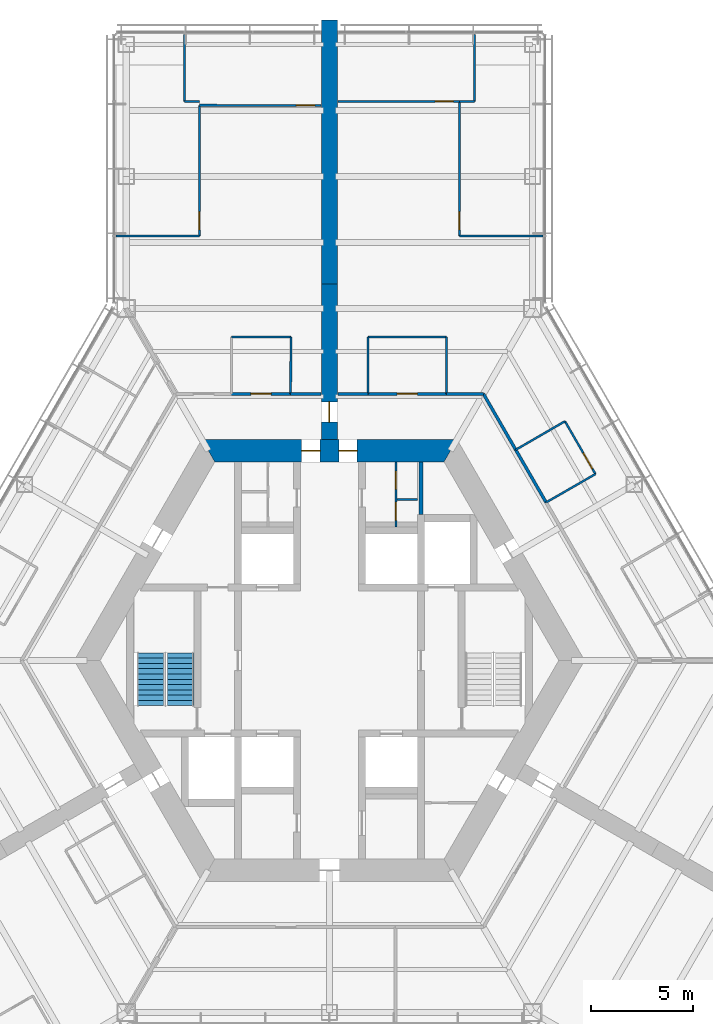
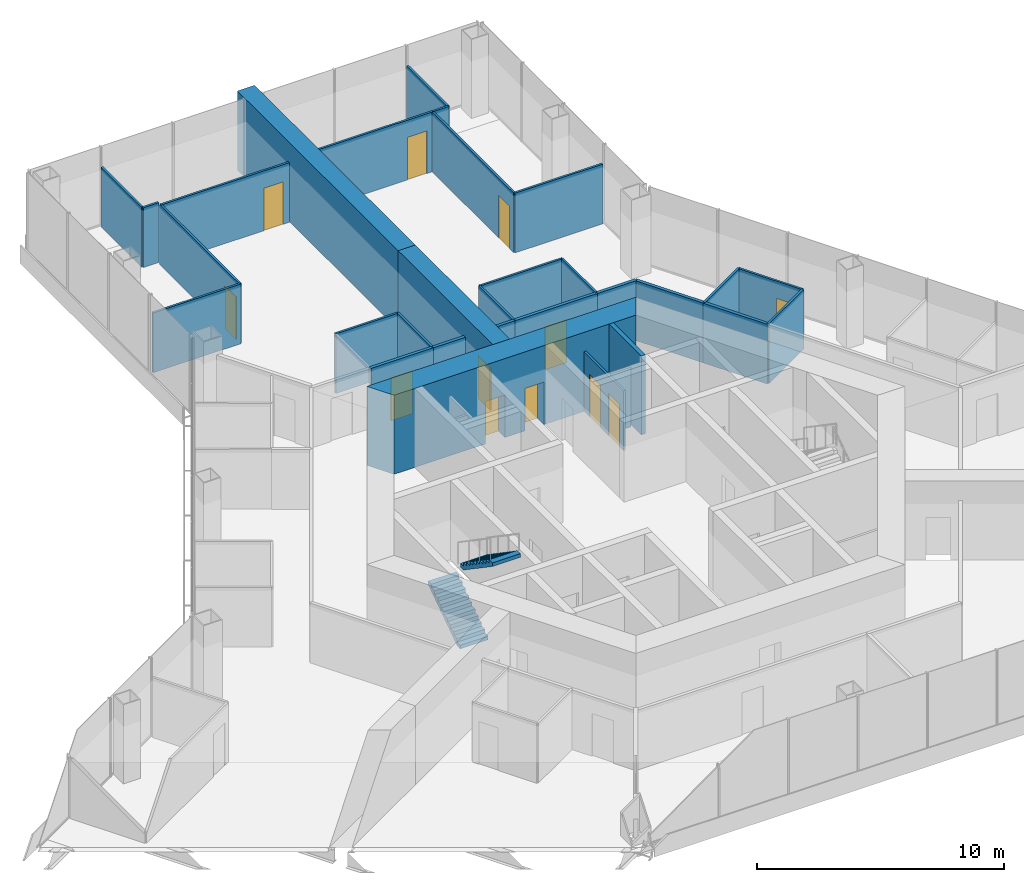
# One storey, part 15 of 18: 31 walls, 12 doors, 2 stair flights, 12 openings, 1 element without a shape of its own.
"""IFC4 building model written with IfcOpenShell, lengths in metres."""

from ifc_helpers import new_model, si_unit, direction, frame, frame_2d, origin, place, context, subcontext, project, spatial, polyline, rectangle, outline, extrude, material, layer, layer_set, type_object, element, fill, aggregate, save


model = new_model("IFC4")

# Units and contexts
model_context = context("Model", 3, precision=1e-05, world=origin(), true_north=direction((0.0, 1.0)))
body_context = subcontext(model_context, "Body", "Model", "MODEL_VIEW")
ifc_project = project(units=[si_unit("LENGTHUNIT", "METRE"), si_unit("AREAUNIT", "SQUARE_METRE"), si_unit("VOLUMEUNIT", "CUBIC_METRE"), si_unit("PLANEANGLEUNIT", "RADIAN"), si_unit("MASSUNIT", "GRAM", prefix="KILO")], contexts=[model_context])

# Site, building, storey
site_placement = place(None, origin())
site = spatial("IfcSite", under=ifc_project, at=site_placement, CompositionType="ELEMENT")
building_placement = place(site_placement, origin())
building = spatial("IfcBuilding", under=site, at=building_placement, Name="Kasaneha Research Tower", CompositionType="ELEMENT")
storey_placement = place(building_placement, frame((0.0, 0.0, 65.10009765625)))
storey = spatial("IfcBuildingStorey", under=building, at=storey_placement, Name="L16", CompositionType="ELEMENT", Elevation=65.10009765625)

# Wall, openings, doors
ifc_material_1 = material(Name="Concrete Fc80", Category="concrete")
ifc_layer_1 = layer(ifc_material_1, 1.10009765625)
ifc_layer_set_1 = layer_set([ifc_layer_1], Name="Core wall 1100 Fc80")
wall_type_1 = type_object("IfcWallType", Name="Core wall 1100 Fc80", PredefinedType="SHEAR", material=ifc_layer_set_1)
wall_1_placement = place(storey_placement, frame((5.961181640625, 10.324951171875, 0.0), z_axis=(0.0, 0.0, 1.0), x_axis=(-1.0, 0.0, 0.0)))
wall_1 = element("IfcWall", 1, at=wall_1_placement, inside=storey, type_object=wall_type_1, Name="Core wall 090 L16", PredefinedType="SHEAR", context=body_context, shape_type="SweptSolid", body=[
    extrude(outline(polyline([(-0.317626953125, -0.550048828125), (4.5986328125, -0.550048828125), (5.49853515625, -0.550048828125), (6.423583984375, -0.550048828125), (7.323486328125, -0.550048828125), (12.239990234375, -0.550048828125), (11.604736328125, 0.550048828125), (7.323486328125, 0.550048828125), (6.423583984375, 0.550048828125), (5.49853515625, 0.550048828125), (4.5986328125, 0.550048828125), (0.317626953125, 0.550048828125), (-0.317626953125, -0.550048828125)])), origin(), (0.0, 0.0, 1.0), 3.89990234375),
])
opening_1_placement = place(wall_1_placement, frame((6.423583984375, 0.0, 0.0)))
opening_1 = element("IfcOpeningElement", 2, at=opening_1_placement, cuts=wall_1, Name="Opening L16-D01", PredefinedType="OPENING", context=body_context, shape_type="SweptSolid", body=[
    extrude(rectangle(XDim=0.89990234375, YDim=2.10009765625, at=frame_2d((0.449951171875, 1.050048828125))), frame((0.0, 0.56005859375, 0.0), z_axis=(0.0, -1.0, 0.0), x_axis=(1.0, 0.0, 0.0)), (0.0, 0.0, 1.0), 1.1201171875),
])
opening_2_placement = place(wall_1_placement, frame((4.5986328125, 0.0, 0.0)))
opening_2 = element("IfcOpeningElement", 3, at=opening_2_placement, cuts=wall_1, Name="Opening L16-D02", PredefinedType="OPENING", context=body_context, shape_type="SweptSolid", body=[
    extrude(rectangle(XDim=0.89990234375, YDim=2.10009765625, at=frame_2d((0.449951171875, 1.050048828125))), frame((0.0, 0.56005859375, 0.0), z_axis=(0.0, -1.0, 0.0), x_axis=(1.0, 0.0, 0.0)), (0.0, 0.0, 1.0), 1.1201171875),
])
ifc_material_2 = material(Name="Steel", Category="steel")
door_type_1 = type_object("IfcDoorType", Name="Toilet door FD20 900x2100", OperationType="NOTDEFINED", PredefinedType="DOOR", material=ifc_material_2)
door_1_placement = place(opening_1_placement, origin())
door_1 = element("IfcDoor", 4, at=door_1_placement, inside=storey, type_object=door_type_1, Name="Core door north 1 L16-D01", OperationType="SINGLE_SWING_RIGHT", OverallHeight=2.10009765625, OverallWidth=0.89990234375, PredefinedType="DOOR", context=body_context, shape_type="SweptSolid", body=[
    extrude(rectangle(XDim=0.89990234375, YDim=2.10009765625, at=frame_2d((0.449951171875, 1.050048828125))), frame((0.0, 0.02490234375, 0.0), z_axis=(0.0, -1.0, 0.0), x_axis=(1.0, 0.0, 0.0)), (0.0, 0.0, 1.0), 0.050048828125),
])
fill(opening_1, door_1)
door_2_placement = place(opening_2_placement, origin())
door_2 = element("IfcDoor", 5, at=door_2_placement, inside=storey, type_object=door_type_1, Name="Core door north 2 L16-D02", OperationType="SINGLE_SWING_LEFT", OverallHeight=2.10009765625, OverallWidth=0.89990234375, PredefinedType="DOOR", context=body_context, shape_type="SweptSolid", body=[
    extrude(rectangle(XDim=0.89990234375, YDim=2.10009765625, at=frame_2d((0.449951171875, 1.050048828125))), frame((0.0, 0.02490234375, 0.0), z_axis=(0.0, -1.0, 0.0), x_axis=(1.0, 0.0, 0.0)), (0.0, 0.0, 1.0), 0.050048828125),
])
fill(opening_2, door_2)

ifc_material_3 = material(Name="Gypsum board on steel studs, one layer each side", Category="steel")
ifc_layer_2 = layer(ifc_material_3, 0.10009765625)
ifc_layer_set_2 = layer_set([ifc_layer_2], Name="Office partition 100")
wall_type_2 = type_object("IfcWallType", Name="Office partition 100", PredefinedType="PARTITIONING", material=ifc_layer_set_2)
wall_2_placement = place(storey_placement, frame((3.27490234375, 6.574951171875, 0.0), z_axis=(0.0, 0.0, 1.0), x_axis=(0.0, 1.0, 0.0)))
wall_2 = element("IfcWall", 6, at=wall_2_placement, inside=storey, type_object=wall_type_2, Name="Office partition TBF1 L16", PredefinedType="PARTITIONING", context=body_context, shape_type="SweptSolid", body=[
    extrude(rectangle(XDim=3.199951171875, YDim=0.10009765625, at=frame_2d((1.60009765625, 0.0))), origin(), (0.0, 0.0, 1.0), 2.949951171875),
])
opening_3_placement = place(wall_2_placement, frame((1.85009765625, 0.0, 0.0)))
opening_3 = element("IfcOpeningElement", 7, at=opening_3_placement, cuts=wall_2, Name="Opening L16-D22", PredefinedType="OPENING", context=body_context, shape_type="SweptSolid", body=[
    extrude(rectangle(XDim=0.89990234375, YDim=2.10009765625, at=frame_2d((0.449951171875, 1.050048828125))), frame((0.0, 0.06005859375, 0.0), z_axis=(0.0, -1.0, 0.0), x_axis=(1.0, 0.0, 0.0)), (0.0, 0.0, 1.0), 0.1201171875),
])
opening_4_placement = place(wall_2_placement, frame((0.324951171875, 0.0, 0.0)))
opening_4 = element("IfcOpeningElement", 8, at=opening_4_placement, cuts=wall_2, Name="Opening L16-D23", PredefinedType="OPENING", context=body_context, shape_type="SweptSolid", body=[
    extrude(rectangle(XDim=0.89990234375, YDim=2.10009765625, at=frame_2d((0.449951171875, 1.050048828125))), frame((0.0, 0.06005859375, 0.0), z_axis=(0.0, -1.0, 0.0), x_axis=(1.0, 0.0, 0.0)), (0.0, 0.0, 1.0), 0.1201171875),
])
ifc_material_4 = material(Name="Steel", Category="steel")
door_type_2 = type_object("IfcDoorType", Name="Toilet lobby door FD30 900x2100", OperationType="NOTDEFINED", PredefinedType="DOOR", material=ifc_material_4)
door_3_placement = place(opening_3_placement, origin())
door_3 = element("IfcDoor", 9, at=door_3_placement, inside=storey, type_object=door_type_2, Name="Women's WC door L16-D22", OperationType="SINGLE_SWING_RIGHT", OverallHeight=2.10009765625, OverallWidth=0.89990234375, PredefinedType="DOOR", context=body_context, shape_type="SweptSolid", body=[
    extrude(rectangle(XDim=0.89990234375, YDim=2.10009765625, at=frame_2d((0.449951171875, 1.050048828125))), frame((0.0, 0.02490234375, 0.0), z_axis=(0.0, -1.0, 0.0), x_axis=(1.0, 0.0, 0.0)), (0.0, 0.0, 1.0), 0.050048828125),
])
fill(opening_3, door_3)
door_4_placement = place(opening_4_placement, origin())
door_4 = element("IfcDoor", 10, at=door_4_placement, inside=storey, type_object=door_type_2, Name="Cleaner's store door L16-D23", OperationType="SINGLE_SWING_RIGHT", OverallHeight=2.10009765625, OverallWidth=0.89990234375, PredefinedType="DOOR", context=body_context, shape_type="SweptSolid", body=[
    extrude(rectangle(XDim=0.89990234375, YDim=2.10009765625, at=frame_2d((0.449951171875, 1.050048828125))), frame((0.0, 0.02490234375, 0.0), z_axis=(0.0, -1.0, 0.0), x_axis=(1.0, 0.0, 0.0)), (0.0, 0.0, 1.0), 0.050048828125),
])
fill(opening_4, door_4)

# Walls
wall_3_placement = place(storey_placement, frame((3.324951171875, 7.925048828125, 0.0), z_axis=(0.0, 0.0, 1.0), x_axis=(1.0, 0.0, 0.0)))
element("IfcWall", 11, at=wall_3_placement, inside=storey, type_object=wall_type_2, Name="Office partition TBF2 L16", PredefinedType="PARTITIONING", context=body_context, shape_type="SweptSolid", body=[
    extrude(rectangle(XDim=1.0, YDim=0.10009765625, at=frame_2d((0.5, 0.0))), origin(), (0.0, 0.0, 1.0), 2.949951171875),
])
wall_4_placement = place(storey_placement, frame((1.89990234375, 15.925048828125, 0.0), z_axis=(0.0, 0.0, 1.0), x_axis=(1.0, 0.0, 0.0)))
element("IfcWall", 12, at=wall_4_placement, inside=storey, type_object=wall_type_2, Name="Office partition FAE07 L16", PredefinedType="PARTITIONING", context=body_context, shape_type="SweptSolid", body=[
    extrude(rectangle(XDim=3.857177734375, YDim=0.10009765625, at=frame_2d((1.9287109375, 0.0))), origin(), (0.0, 0.0, 1.0), 2.949951171875),
])
for number, where, z_axis, x_axis, name in (
    (13, (1.904541015625, 13.125, 0.0), (0.0, 0.0, 1.0), (-0.001656637364, 0.999998627775, 0.0), "Office partition FAE08 L16"),
    (14, (5.757080078125, 15.925048828125, 0.0), (0.0, 0.0, 1.0), (-0.001656637364, -0.999998627775, 0.0), "Office partition FAE09 L16"),
    (15, (9.168701171875, 10.369140625, 0.0), (0.0, 0.0, 1.0), (0.865255114713, 0.501331812737, 0.0), "Office partition FAE10 L16"),
):
    element("IfcWall", number, at=place(storey_placement, frame(where, z_axis=z_axis, x_axis=x_axis)), inside=storey, type_object=wall_type_2, Name=name, PredefinedType="PARTITIONING", context=body_context, shape_type="SweptSolid", body=[
        extrude(rectangle(XDim=2.800048828125, YDim=0.10009765625, at=frame_2d((1.39990234375, 0.0))), origin(), (0.0, 0.0, 1.0), 2.949951171875),
    ])

# Wall, opening, door
wall_5_placement = place(storey_placement, frame((11.591552734375, 11.77294921875, 0.0), z_axis=(0.0, 0.0, 1.0), x_axis=(0.499990139034, -0.866031096941, 0.0)))
wall_5 = element("IfcWall", 16, at=wall_5_placement, inside=storey, type_object=wall_type_2, Name="Office partition FAE11 L16", PredefinedType="PARTITIONING", context=body_context, shape_type="SweptSolid", body=[
    extrude(rectangle(XDim=3.0, YDim=0.10009765625, at=frame_2d((1.5, 0.0))), origin(), (0.0, 0.0, 1.0), 2.949951171875),
])
opening_5_placement = place(wall_5_placement, frame((1.800048828125, 0.0, 0.0)))
opening_5 = element("IfcOpeningElement", 17, at=opening_5_placement, cuts=wall_5, Name="Opening L16-D30", PredefinedType="OPENING", context=body_context, shape_type="SweptSolid", body=[
    extrude(rectangle(XDim=0.89990234375, YDim=2.10009765625, at=frame_2d((0.449951171875, 1.050048828125))), frame((0.0, 0.06005859375, 0.0), z_axis=(0.0, -1.0, 0.0), x_axis=(1.0, 0.0, 0.0)), (0.0, 0.0, 1.0), 0.1201171875),
])
ifc_material_5 = material(Name="Timber veneer", Category="wood")
door_type_3 = type_object("IfcDoorType", Name="Office door 900x2100", OperationType="SINGLE_SWING_LEFT", PredefinedType="DOOR", material=ifc_material_5)
door_5_placement = place(opening_5_placement, origin())
door_5 = element("IfcDoor", 18, at=door_5_placement, inside=storey, type_object=door_type_3, Name="Pantry door L16-D30", OperationType="SINGLE_SWING_RIGHT", OverallHeight=2.10009765625, OverallWidth=0.89990234375, PredefinedType="DOOR", context=body_context, shape_type="SweptSolid", body=[
    extrude(rectangle(XDim=0.89990234375, YDim=2.10009765625, at=frame_2d((0.449951171875, 1.050048828125))), frame((0.0, 0.02490234375, 0.0), z_axis=(0.0, -1.0, 0.0), x_axis=(1.0, 0.0, 0.0)), (0.0, 0.0, 1.0), 0.050048828125),
])
fill(opening_5, door_5)

# Walls
wall_6_placement = place(storey_placement, frame((13.091552734375, 9.1748046875, 0.0), z_axis=(0.0, 0.0, 1.0), x_axis=(-0.866855433567, -0.498559582492, 0.0)))
element("IfcWall", 19, at=wall_6_placement, inside=storey, type_object=wall_type_2, Name="Office partition FAE12 L16", PredefinedType="PARTITIONING", context=body_context, shape_type="SweptSolid", body=[
    extrude(rectangle(XDim=2.800048828125, YDim=0.10009765625, at=frame_2d((1.39990234375, 0.0))), origin(), (0.0, 0.0, 1.0), 2.949951171875),
])
wall_7_placement = place(storey_placement, frame((6.39892578125, 27.515380859375, 0.0), z_axis=(0.0, 0.0, 1.0), x_axis=(0.999975631037, 0.00698121285, 0.0)))
element("IfcWall", 20, at=wall_7_placement, inside=storey, type_object=wall_type_2, Name="Office partition FAE13 L16", PredefinedType="PARTITIONING", context=body_context, shape_type="SweptSolid", body=[
    extrude(rectangle(XDim=0.734375, YDim=0.10009765625, at=frame_2d((0.3671875, 0.0))), origin(), (0.0, 0.0, 1.0), 2.949951171875),
])
wall_8_placement = place(storey_placement, frame((7.13330078125, 27.5205078125, 0.0), z_axis=(0.0, 0.0, 1.0), x_axis=(0.000148864903, 0.99999998892, 0.0)))
element("IfcWall", 21, at=wall_8_placement, inside=storey, type_object=wall_type_2, Name="Office partition FAE14 L16", PredefinedType="PARTITIONING", context=body_context, shape_type="SweptSolid", body=[
    extrude(rectangle(XDim=3.280029296875, YDim=0.10009765625, at=frame_2d((1.64013671875, 0.0))), origin(), (0.0, 0.0, 1.0), 2.949951171875),
])

# Wall, opening, door
wall_9_placement = place(storey_placement, frame((6.39990234375, 20.89111328125, 0.0), z_axis=(0.0, 0.0, 1.0), x_axis=(0.000626104768, 0.999999803996, 0.0)))
wall_9 = element("IfcWall", 22, at=wall_9_placement, inside=storey, type_object=wall_type_2, Name="Office partition FAE15 L16", PredefinedType="PARTITIONING", context=body_context, shape_type="SweptSolid", body=[
    extrude(rectangle(XDim=6.62890625, YDim=0.10009765625, at=frame_2d((3.314453125, 0.0))), origin(), (0.0, 0.0, 1.0), 2.949951171875),
])
opening_6_placement = place(wall_9_placement, frame((0.300048828125, 0.0, 0.0)))
opening_6 = element("IfcOpeningElement", 23, at=opening_6_placement, cuts=wall_9, Name="Opening L16-D31", PredefinedType="OPENING", context=body_context, shape_type="SweptSolid", body=[
    extrude(rectangle(XDim=0.89990234375, YDim=2.10009765625, at=frame_2d((0.449951171875, 1.050048828125))), frame((0.0, 0.06005859375, 0.0), z_axis=(0.0, -1.0, 0.0), x_axis=(1.0, 0.0, 0.0)), (0.0, 0.0, 1.0), 0.1201171875),
])
door_6_placement = place(opening_6_placement, origin())
door_6 = element("IfcDoor", 24, at=door_6_placement, inside=storey, type_object=door_type_3, Name="Project room door L16-D31", OperationType="SINGLE_SWING_LEFT", OverallHeight=2.10009765625, OverallWidth=0.89990234375, PredefinedType="DOOR", context=body_context, shape_type="SweptSolid", body=[
    extrude(rectangle(XDim=0.89990234375, YDim=2.10009765625, at=frame_2d((0.449951171875, 1.050048828125))), frame((0.0, 0.02490234375, 0.0), z_axis=(0.0, -1.0, 0.0), x_axis=(1.0, 0.0, 0.0)), (0.0, 0.0, 1.0), 0.050048828125),
])
fill(opening_6, door_6)

# Wall
wall_10_placement = place(storey_placement, frame((10.5, 20.89111328125, 0.0), z_axis=(0.0, 0.0, 1.0), x_axis=(-1.0, 0.0, 0.0)))
element("IfcWall", 25, at=wall_10_placement, inside=storey, type_object=wall_type_2, Name="Office partition FAE16 L16", PredefinedType="PARTITIONING", context=body_context, shape_type="SweptSolid", body=[
    extrude(rectangle(XDim=4.10009765625, YDim=0.10009765625, at=frame_2d((2.050048828125, 0.0))), origin(), (0.0, 0.0, 1.0), 2.949951171875),
])

# Wall, opening, door
wall_11_placement = place(storey_placement, frame((6.404052734375, 27.5205078125, 0.0), z_axis=(0.0, 0.0, 1.0), x_axis=(-1.0, 0.0, 0.0)))
wall_11 = element("IfcWall", 26, at=wall_11_placement, inside=storey, type_object=wall_type_2, Name="Office partition FAE17 L16", PredefinedType="PARTITIONING", context=body_context, shape_type="SweptSolid", body=[
    extrude(rectangle(XDim=5.984130859375, YDim=0.10009765625, at=frame_2d((2.9921875, 0.0))), origin(), (0.0, 0.0, 1.0), 2.949951171875),
])
opening_7_placement = place(wall_11_placement, frame((0.300048828125, 0.0, 0.0)))
opening_7 = element("IfcOpeningElement", 27, at=opening_7_placement, cuts=wall_11, Name="Opening L16-D32", PredefinedType="OPENING", context=body_context, shape_type="SweptSolid", body=[
    extrude(rectangle(XDim=0.89990234375, YDim=2.10009765625, at=frame_2d((0.449951171875, 1.050048828125))), frame((0.0, 0.06005859375, 0.0), z_axis=(0.0, -1.0, 0.0), x_axis=(1.0, 0.0, 0.0)), (0.0, 0.0, 1.0), 0.1201171875),
])
door_7_placement = place(opening_7_placement, origin())
door_7 = element("IfcDoor", 28, at=door_7_placement, inside=storey, type_object=door_type_3, Name="Meeting room door L16-D32", OperationType="SINGLE_SWING_LEFT", OverallHeight=2.10009765625, OverallWidth=0.89990234375, PredefinedType="DOOR", context=body_context, shape_type="SweptSolid", body=[
    extrude(rectangle(XDim=0.89990234375, YDim=2.10009765625, at=frame_2d((0.449951171875, 1.050048828125))), frame((0.0, 0.02490234375, 0.0), z_axis=(0.0, -1.0, 0.0), x_axis=(1.0, 0.0, 0.0)), (0.0, 0.0, 1.0), 0.050048828125),
])
fill(opening_7, door_7)

# Walls
wall_12_placement = place(storey_placement, frame((-4.8291015625, 15.925048828125, 0.0), z_axis=(0.0, 0.0, 1.0), x_axis=(1.0, 0.0, 0.0)))
element("IfcWall", 29, at=wall_12_placement, inside=storey, type_object=wall_type_2, Name="Office partition FAW04 L16", PredefinedType="PARTITIONING", context=body_context, shape_type="SweptSolid", body=[
    extrude(rectangle(XDim=2.92919921875, YDim=0.10009765625, at=frame_2d((1.464599609375, 0.0))), origin(), (0.0, 0.0, 1.0), 2.949951171875),
])
wall_13_placement = place(storey_placement, frame((-1.89990234375, 15.925048828125, 0.0), z_axis=(0.0, 0.0, 1.0), x_axis=(-0.001656637364, -0.999998627775, 0.0)))
element("IfcWall", 30, at=wall_13_placement, inside=storey, type_object=wall_type_2, Name="Office partition FAW06 L16", PredefinedType="PARTITIONING", context=body_context, shape_type="SweptSolid", body=[
    extrude(rectangle(XDim=2.800048828125, YDim=0.10009765625, at=frame_2d((1.39990234375, 0.0))), origin(), (0.0, 0.0, 1.0), 2.949951171875),
])
wall_14_placement = place(storey_placement, frame((-7.1337890625, 27.5107421875, 0.0), z_axis=(0.0, 0.0, 1.0), x_axis=(1.0, 0.0, 0.0)))
element("IfcWall", 31, at=wall_14_placement, inside=storey, type_object=wall_type_2, Name="Office partition FAW07 L16", PredefinedType="PARTITIONING", context=body_context, shape_type="SweptSolid", body=[
    extrude(rectangle(XDim=0.73388671875, YDim=0.10009765625, at=frame_2d((0.366943359375, 0.0))), origin(), (0.0, 0.0, 1.0), 2.949951171875),
])
wall_15_placement = place(storey_placement, frame((-7.1337890625, 30.800537109375, 0.0), z_axis=(0.0, 0.0, 1.0), x_axis=(0.0, -1.0, 0.0)))
element("IfcWall", 32, at=wall_15_placement, inside=storey, type_object=wall_type_2, Name="Office partition FAW08 L16", PredefinedType="PARTITIONING", context=body_context, shape_type="SweptSolid", body=[
    extrude(rectangle(XDim=3.289794921875, YDim=0.10009765625, at=frame_2d((1.64501953125, 0.0))), origin(), (0.0, 0.0, 1.0), 2.949951171875),
])
wall_16_placement = place(storey_placement, frame((-6.39990234375, 20.89111328125, 0.0), z_axis=(0.0, 0.0, 1.0), x_axis=(-1.0, 0.0, 0.0)))
element("IfcWall", 33, at=wall_16_placement, inside=storey, type_object=wall_type_2, Name="Office partition FAW09 L16", PredefinedType="PARTITIONING", context=body_context, shape_type="SweptSolid", body=[
    extrude(rectangle(XDim=4.10009765625, YDim=0.10009765625, at=frame_2d((2.050048828125, 0.0))), origin(), (0.0, 0.0, 1.0), 2.949951171875),
])

# Wall, opening, door
wall_17_placement = place(storey_placement, frame((-6.39990234375, 27.324951171875, 0.0), z_axis=(0.0, 0.0, 1.0), x_axis=(0.0, -1.0, 0.0)))
wall_17 = element("IfcWall", 34, at=wall_17_placement, inside=storey, type_object=wall_type_2, Name="Office partition FAW10 L16", PredefinedType="PARTITIONING", context=body_context, shape_type="SweptSolid", body=[
    extrude(rectangle(XDim=6.433837890625, YDim=0.10009765625, at=frame_2d((3.216796875, 0.0))), origin(), (0.0, 0.0, 1.0), 2.949951171875),
])
opening_8_placement = place(wall_17_placement, frame((5.23388671875, 0.0, 0.0)))
opening_8 = element("IfcOpeningElement", 35, at=opening_8_placement, cuts=wall_17, Name="Opening L16-D37", PredefinedType="OPENING", context=body_context, shape_type="SweptSolid", body=[
    extrude(rectangle(XDim=0.89990234375, YDim=2.10009765625, at=frame_2d((0.449951171875, 1.050048828125))), frame((0.0, 0.06005859375, 0.0), z_axis=(0.0, -1.0, 0.0), x_axis=(1.0, 0.0, 0.0)), (0.0, 0.0, 1.0), 0.1201171875),
])
door_8_placement = place(opening_8_placement, origin())
door_8 = element("IfcDoor", 36, at=door_8_placement, inside=storey, type_object=door_type_3, Name="Project room door L16-D37", OperationType="SINGLE_SWING_RIGHT", OverallHeight=2.10009765625, OverallWidth=0.89990234375, PredefinedType="DOOR", context=body_context, shape_type="SweptSolid", body=[
    extrude(rectangle(XDim=0.89990234375, YDim=2.10009765625, at=frame_2d((0.449951171875, 1.050048828125))), frame((0.0, 0.02490234375, 0.0), z_axis=(0.0, -1.0, 0.0), x_axis=(1.0, 0.0, 0.0)), (0.0, 0.0, 1.0), 0.050048828125),
])
fill(opening_8, door_8)

wall_18_placement = place(storey_placement, frame((-0.419921875, 27.320556640625, 0.0), z_axis=(0.0, 0.0, 1.0), x_axis=(-0.99999972998, 0.000734873648, 0.0)))
wall_18 = element("IfcWall", 37, at=wall_18_placement, inside=storey, type_object=wall_type_2, Name="Office partition FAW11 L16", PredefinedType="PARTITIONING", context=body_context, shape_type="SweptSolid", body=[
    extrude(rectangle(XDim=5.97998046875, YDim=0.10009765625, at=frame_2d((2.989990234375, 0.0))), origin(), (0.0, 0.0, 1.0), 2.949951171875),
])
opening_9_placement = place(wall_18_placement, frame((0.300048828125, 0.0, 0.0)))
opening_9 = element("IfcOpeningElement", 38, at=opening_9_placement, cuts=wall_18, Name="Opening L16-D38", PredefinedType="OPENING", context=body_context, shape_type="SweptSolid", body=[
    extrude(rectangle(XDim=0.89990234375, YDim=2.10009765625, at=frame_2d((0.449951171875, 1.050048828125))), frame((0.0, 0.06005859375, 0.0), z_axis=(0.0, -1.0, 0.0), x_axis=(1.0, 0.0, 0.0)), (0.0, 0.0, 1.0), 0.1201171875),
])
door_9_placement = place(opening_9_placement, origin())
door_9 = element("IfcDoor", 39, at=door_9_placement, inside=storey, type_object=door_type_3, Name="Meeting room door L16-D38", OperationType="SINGLE_SWING_LEFT", OverallHeight=2.10009765625, OverallWidth=0.89990234375, PredefinedType="DOOR", context=body_context, shape_type="SweptSolid", body=[
    extrude(rectangle(XDim=0.89990234375, YDim=2.10009765625, at=frame_2d((0.449951171875, 1.050048828125))), frame((0.0, 0.02490234375, 0.0), z_axis=(0.0, -1.0, 0.0), x_axis=(1.0, 0.0, 0.0)), (0.0, 0.0, 1.0), 0.050048828125),
])
fill(opening_9, door_9)

# Wall
ifc_material_6 = material(Name="Concrete block", Category="concrete")
ifc_layer_3 = layer(ifc_material_6, 0.199951171875)
ifc_layer_set_3 = layer_set([ifc_layer_3], Name="Riser enclosure wall 200")
wall_type_3 = type_object("IfcWallType", Name="Riser enclosure wall 200", PredefinedType="STANDARD", material=ifc_layer_set_3)
wall_19_placement = place(storey_placement, frame((4.5, 7.175048828125, 0.0), z_axis=(0.0, 0.0, 1.0), x_axis=(0.0, 1.0, 0.0)))
element("IfcWall", 40, at=wall_19_placement, inside=storey, type_object=wall_type_3, Name="Riser enclosure wall L16", PredefinedType="STANDARD", context=body_context, shape_type="SweptSolid", body=[
    extrude(rectangle(XDim=2.599853515625, YDim=0.199951171875, at=frame_2d((1.2998046875, 0.0))), origin(), (0.0, 0.0, 1.0), 3.89990234375),
])

# Wall, opening, door
ifc_material_7 = material(Name="Concrete Fc80", Category="concrete")
ifc_layer_4 = layer(ifc_material_7, 0.800048828125)
ifc_layer_set_4 = layer_set([ifc_layer_4], Name="Spine wall 800 Fc80")
wall_type_4 = type_object("IfcWallType", Name="Spine wall 800 Fc80", PredefinedType="SHEAR", material=ifc_layer_set_4)
wall_20_placement = place(storey_placement, frame((0.0, 10.875, 0.0), z_axis=(0.0, 0.0, 1.0), x_axis=(0.0, 1.0, 0.0)))
wall_20 = element("IfcWall", 41, at=wall_20_placement, inside=storey, type_object=wall_type_4, Name="Spine wall A L16", PredefinedType="SHEAR", context=body_context, shape_type="SweptSolid", body=[
    extrude(rectangle(XDim=7.6455078125, YDim=0.800048828125, at=frame_2d((3.82275390625, 0.0))), origin(), (0.0, 0.0, 1.0), 3.89990234375),
])
opening_10_placement = place(wall_20_placement, frame((0.85009765625, 0.0, 0.0)))
opening_10 = element("IfcOpeningElement", 42, at=opening_10_placement, cuts=wall_20, Name="Opening L16-D17", PredefinedType="OPENING", context=body_context, shape_type="SweptSolid", body=[
    extrude(rectangle(XDim=1.0, YDim=2.10009765625, at=frame_2d((0.5, 1.050048828125))), frame((0.0, 0.41015625, 0.0), z_axis=(0.0, -1.0, 0.0), x_axis=(1.0, 0.0, 0.0)), (0.0, 0.0, 1.0), 0.820068359375),
])
ifc_material_8 = material(Name="Steel", Category="steel")
door_type_4 = type_object("IfcDoorType", Name="Specified fire door FD60 1000x2100", OperationType="NOTDEFINED", PredefinedType="DOOR", material=ifc_material_8)
door_10_placement = place(opening_10_placement, origin())
door_10 = element("IfcDoor", 43, at=door_10_placement, inside=storey, type_object=door_type_4, Name="Spine doorway A L16-D17", OperationType="SINGLE_SWING_LEFT", OverallHeight=2.10009765625, OverallWidth=1.0, PredefinedType="DOOR", context=body_context, shape_type="SweptSolid", body=[
    extrude(rectangle(XDim=1.0, YDim=2.10009765625, at=frame_2d((0.5, 1.050048828125))), frame((0.0, 0.02490234375, 0.0), z_axis=(0.0, -1.0, 0.0), x_axis=(1.0, 0.0, 0.0)), (0.0, 0.0, 1.0), 0.050048828125),
])
fill(opening_10, door_10)

# Wall
wall_21_placement = place(storey_placement, frame((0.0, 18.5205078125, 0.0), z_axis=(0.0, 0.0, 1.0), x_axis=(0.0, 1.0, 0.0)))
element("IfcWall", 44, at=wall_21_placement, inside=storey, type_object=wall_type_4, Name="Spine wall A wing L16", PredefinedType="SHEAR", context=body_context, shape_type="SweptSolid", body=[
    extrude(rectangle(XDim=13.0, YDim=0.800048828125, at=frame_2d((6.5, 0.0))), origin(), (0.0, 0.0, 1.0), 3.89990234375),
])

# Wall, opening, door
ifc_material_9 = material(Name="Gypsum board on steel studs, two layers each side", Category="steel")
ifc_layer_5 = layer(ifc_material_9, 0.14990234375)
ifc_layer_set_5 = layer_set([ifc_layer_5], Name="Suite partition 150")
wall_type_5 = type_object("IfcWallType", Name="Suite partition 150", PredefinedType="PARTITIONING", material=ifc_layer_set_5)
wall_22_placement = place(storey_placement, frame((1.89501953125, 13.125, 0.0), z_axis=(0.0, 0.0, 1.0), x_axis=(1.0, 0.0, 0.0)))
wall_22 = element("IfcWall", 45, at=wall_22_placement, inside=storey, type_object=wall_type_5, Name="Suite partition FAE01 L16", PredefinedType="PARTITIONING", context=body_context, shape_type="SweptSolid", body=[
    extrude(rectangle(XDim=3.866943359375, YDim=0.14990234375, at=frame_2d((1.93359375, 0.0))), origin(), (0.0, 0.0, 1.0), 2.949951171875),
])
opening_11_placement = place(wall_22_placement, frame((1.43359375, 0.0, 0.0)))
opening_11 = element("IfcOpeningElement", 46, at=opening_11_placement, cuts=wall_22, Name="Opening L16-D28", PredefinedType="OPENING", context=body_context, shape_type="SweptSolid", body=[
    extrude(rectangle(XDim=1.0, YDim=2.10009765625, at=frame_2d((0.5, 1.050048828125))), frame((0.0, 0.0849609375, 0.0), z_axis=(0.0, -1.0, 0.0), x_axis=(1.0, 0.0, 0.0)), (0.0, 0.0, 1.0), 0.169921875),
])
ifc_material_10 = material(Name="Steel", Category="steel")
door_type_5 = type_object("IfcDoorType", Name="Suite entrance door FD60 1000x2100", OperationType="NOTDEFINED", PredefinedType="DOOR", material=ifc_material_10)
door_11_placement = place(opening_11_placement, origin())
door_11 = element("IfcDoor", 47, at=door_11_placement, inside=storey, type_object=door_type_5, Name="Suite entrance door L16-D28", OperationType="SINGLE_SWING_LEFT", OverallHeight=2.10009765625, OverallWidth=1.0, PredefinedType="DOOR", context=body_context, shape_type="SweptSolid", body=[
    extrude(rectangle(XDim=1.0, YDim=2.10009765625, at=frame_2d((0.5, 1.050048828125))), frame((0.0, 0.02490234375, 0.0), z_axis=(0.0, -1.0, 0.0), x_axis=(1.0, 0.0, 0.0)), (0.0, 0.0, 1.0), 0.050048828125),
])
fill(opening_11, door_11)

# Walls
wall_23_placement = place(storey_placement, frame((9.1640625, 10.377197265625, 0.0), z_axis=(0.0, 0.0, 1.0), x_axis=(0.500038395149, -0.8660032352, 0.0)))
element("IfcWall", 48, at=wall_23_placement, inside=storey, type_object=wall_type_5, Name="Suite partition FAE02 L16", PredefinedType="PARTITIONING", context=body_context, shape_type="SweptSolid", body=[
    extrude(rectangle(XDim=3.010009765625, YDim=0.14990234375, at=frame_2d((1.5048828125, 0.0))), origin(), (0.0, 0.0, 1.0), 2.949951171875),
])
wall_24_placement = place(storey_placement, frame((0.419921875, 13.125, 0.0), z_axis=(0.0, 0.0, 1.0), x_axis=(1.0, 0.0, 0.0)))
element("IfcWall", 49, at=wall_24_placement, inside=storey, type_object=wall_type_5, Name="Suite partition FAE03 L16", PredefinedType="PARTITIONING", context=body_context, shape_type="SweptSolid", body=[
    extrude(rectangle(XDim=1.484619140625, YDim=0.14990234375, at=frame_2d((0.7421875, 0.0))), origin(), (0.0, 0.0, 1.0), 2.949951171875),
])
wall_25_placement = place(storey_placement, frame((5.75244140625, 13.125, 0.0), z_axis=(0.0, 0.0, 1.0), x_axis=(1.0, 0.0, 0.0)))
element("IfcWall", 50, at=wall_25_placement, inside=storey, type_object=wall_type_5, Name="Suite partition FAE04 L16", PredefinedType="PARTITIONING", context=body_context, shape_type="SweptSolid", body=[
    extrude(rectangle(XDim=1.8251953125, YDim=0.14990234375, at=frame_2d((0.91259765625, 0.0))), origin(), (0.0, 0.0, 1.0), 2.949951171875),
])
wall_26_placement = place(storey_placement, frame((7.57763671875, 13.125, 0.0), z_axis=(0.0, 0.0, 1.0), x_axis=(0.499992528944, -0.866029717158, 0.0)))
element("IfcWall", 51, at=wall_26_placement, inside=storey, type_object=wall_type_5, Name="Suite partition FAE05 L16", PredefinedType="PARTITIONING", context=body_context, shape_type="SweptSolid", body=[
    extrude(rectangle(XDim=3.18212890625, YDim=0.14990234375, at=frame_2d((1.591064453125, 0.0))), origin(), (0.0, 0.0, 1.0), 2.949951171875),
])

# Wall, opening, door
wall_27_placement = place(storey_placement, frame((-4.833984375, 13.125, 0.0), z_axis=(0.0, 0.0, 1.0), x_axis=(1.0, 0.0, 0.0)))
wall_27 = element("IfcWall", 52, at=wall_27_placement, inside=storey, type_object=wall_type_5, Name="Suite partition FAW01 L16", PredefinedType="PARTITIONING", context=body_context, shape_type="SweptSolid", body=[
    extrude(rectangle(XDim=2.93896484375, YDim=0.14990234375, at=frame_2d((1.469482421875, 0.0))), origin(), (0.0, 0.0, 1.0), 2.949951171875),
])
opening_12_placement = place(wall_27_placement, frame((0.969482421875, 0.0, 0.0)))
opening_12 = element("IfcOpeningElement", 53, at=opening_12_placement, cuts=wall_27, Name="Opening L16-D35", PredefinedType="OPENING", context=body_context, shape_type="SweptSolid", body=[
    extrude(rectangle(XDim=1.0, YDim=2.10009765625, at=frame_2d((0.5, 1.050048828125))), frame((0.0, 0.0849609375, 0.0), z_axis=(0.0, -1.0, 0.0), x_axis=(1.0, 0.0, 0.0)), (0.0, 0.0, 1.0), 0.169921875),
])
door_12_placement = place(opening_12_placement, origin())
door_12 = element("IfcDoor", 54, at=door_12_placement, inside=storey, type_object=door_type_5, Name="Suite entrance door L16-D35", OperationType="SINGLE_SWING_RIGHT", OverallHeight=2.10009765625, OverallWidth=1.0, PredefinedType="DOOR", context=body_context, shape_type="SweptSolid", body=[
    extrude(rectangle(XDim=1.0, YDim=2.10009765625, at=frame_2d((0.5, 1.050048828125))), frame((0.0, 0.02490234375, 0.0), z_axis=(0.0, -1.0, 0.0), x_axis=(1.0, 0.0, 0.0)), (0.0, 0.0, 1.0), 0.050048828125),
])
fill(opening_12, door_12)

# Wall
wall_28_placement = place(storey_placement, frame((-1.904541015625, 13.125, 0.0), z_axis=(0.0, 0.0, 1.0), x_axis=(1.0, 0.0, 0.0)))
element("IfcWall", 55, at=wall_28_placement, inside=storey, type_object=wall_type_5, Name="Suite partition FAW03 L16", PredefinedType="PARTITIONING", context=body_context, shape_type="SweptSolid", body=[
    extrude(rectangle(XDim=1.484619140625, YDim=0.14990234375, at=frame_2d((0.7421875, 0.0))), origin(), (0.0, 0.0, 1.0), 2.949951171875),
])

# Stair, stair flights
ifc_material_11 = material(Name="Concrete Fc24", Category="concrete")
stair_type = type_object("IfcStairType", Name="Half-turn stair 22 risers", PredefinedType="HALF_TURN_STAIR", material=ifc_material_11)
stair_placement = place(storey_placement, origin())
stair = element("IfcStair", 56, at=stair_placement, inside=storey, type_object=stair_type, Name="Stair 2 L16", PredefinedType="HALF_TURN_STAIR")
ifc_material_12 = material(Name="Concrete Fc24", Category="concrete")
stair_flight_type = type_object("IfcStairFlightType", Name="Stair flight 11 risers 177.3", PredefinedType="STRAIGHT", material=ifc_material_12)
stair_flight_1_placement = place(storey_placement, frame((-8.824951171875, -2.22509765625, 0.0), z_axis=(0.0, 0.0, 1.0), x_axis=(0.0, 1.0, 0.0)))
stair_flight_1 = element("IfcStairFlight", 57, at=stair_flight_1_placement, type_object=stair_flight_type, Name="ST2-22R flight 1", NumberOfRisers=11, NumberOfTreads=10, PredefinedType="STRAIGHT", RiserHeight=0.177272727, TreadLength=0.26, context=body_context, shape_type="SweptSolid", body=[
    extrude(outline(polyline([(0.0, 0.0), (0.0, 0.17724609375), (0.260009765625, 0.17724609375), (0.260009765625, 0.3544921875), (0.52001953125, 0.3544921875), (0.52001953125, 0.53173828125), (0.780029296875, 0.53173828125), (0.780029296875, 0.708984375), (1.0400390625, 0.708984375), (1.0400390625, 0.886474609375), (1.300048828125, 0.886474609375), (1.300048828125, 1.063720703125), (1.56005859375, 1.063720703125), (1.56005859375, 1.240966796875), (1.820068359375, 1.240966796875), (1.820068359375, 1.418212890625), (2.080078125, 1.418212890625), (2.080078125, 1.595458984375), (2.340087890625, 1.595458984375), (2.340087890625, 1.772705078125), (2.60009765625, 1.772705078125), (2.60009765625, 1.949951171875), (2.60009765625, 1.59130859375), (0.26611328125, 0.0), (0.0, 0.0)])), frame((0.0, 0.64990234375, 0.0), z_axis=(0.0, -1.0, 0.0), x_axis=(1.0, 0.0, 0.0)), (0.0, 0.0, 1.0), 1.300048828125),
])
stair_flight_2_placement = place(storey_placement, frame((-7.324951171875, 0.375, 1.949951171875), z_axis=(0.0, 0.0, 1.0), x_axis=(0.0, -1.0, 0.0)))
stair_flight_2 = element("IfcStairFlight", 58, at=stair_flight_2_placement, type_object=stair_flight_type, Name="ST2-22R flight 2", NumberOfRisers=11, NumberOfTreads=10, PredefinedType="STRAIGHT", RiserHeight=0.177272727, TreadLength=0.26, context=body_context, shape_type="SweptSolid", body=[
    extrude(outline(polyline([(0.0, 0.0), (0.0, 0.17724609375), (0.260009765625, 0.17724609375), (0.260009765625, 0.3544921875), (0.52001953125, 0.3544921875), (0.52001953125, 0.53173828125), (0.780029296875, 0.53173828125), (0.780029296875, 0.708984375), (1.0400390625, 0.708984375), (1.0400390625, 0.886474609375), (1.300048828125, 0.886474609375), (1.300048828125, 1.063720703125), (1.56005859375, 1.063720703125), (1.56005859375, 1.240966796875), (1.820068359375, 1.240966796875), (1.820068359375, 1.418212890625), (2.080078125, 1.418212890625), (2.080078125, 1.595458984375), (2.340087890625, 1.595458984375), (2.340087890625, 1.772705078125), (2.60009765625, 1.772705078125), (2.60009765625, 1.949951171875), (2.60009765625, 1.59130859375), (0.26611328125, 0.0), (0.0, 0.0)])), frame((0.0, 0.64990234375, 0.0), z_axis=(0.0, -1.0, 0.0), x_axis=(1.0, 0.0, 0.0)), (0.0, 0.0, 1.0), 1.300048828125),
])
aggregate(stair, [stair_flight_1, stair_flight_2])

save(model, "model.ifc")
